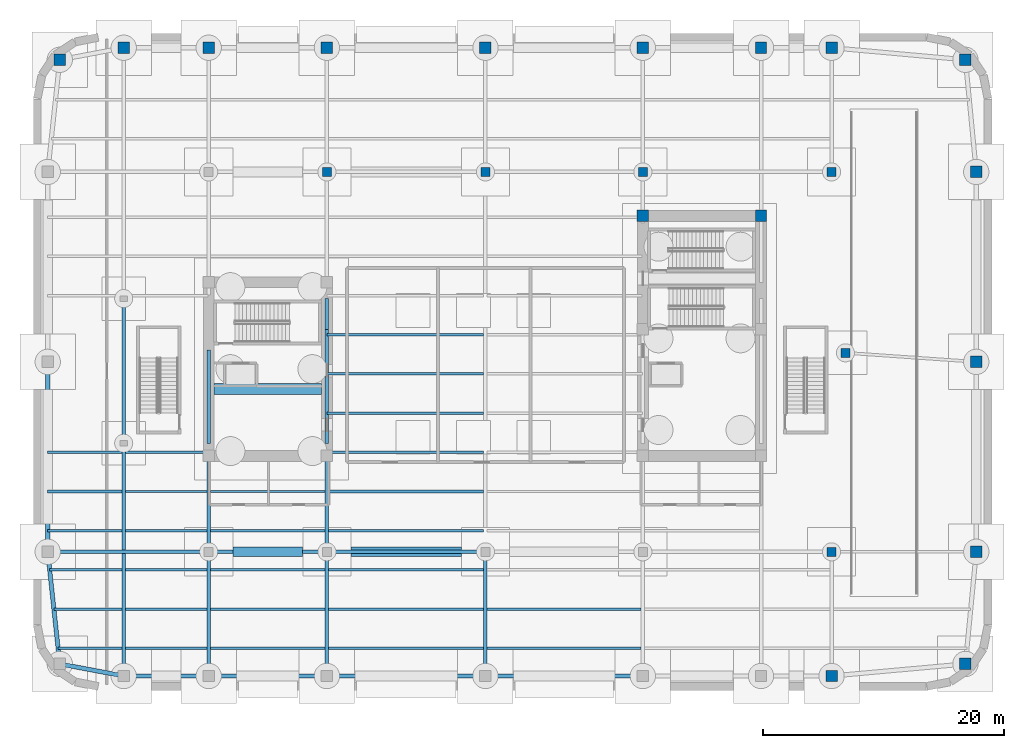
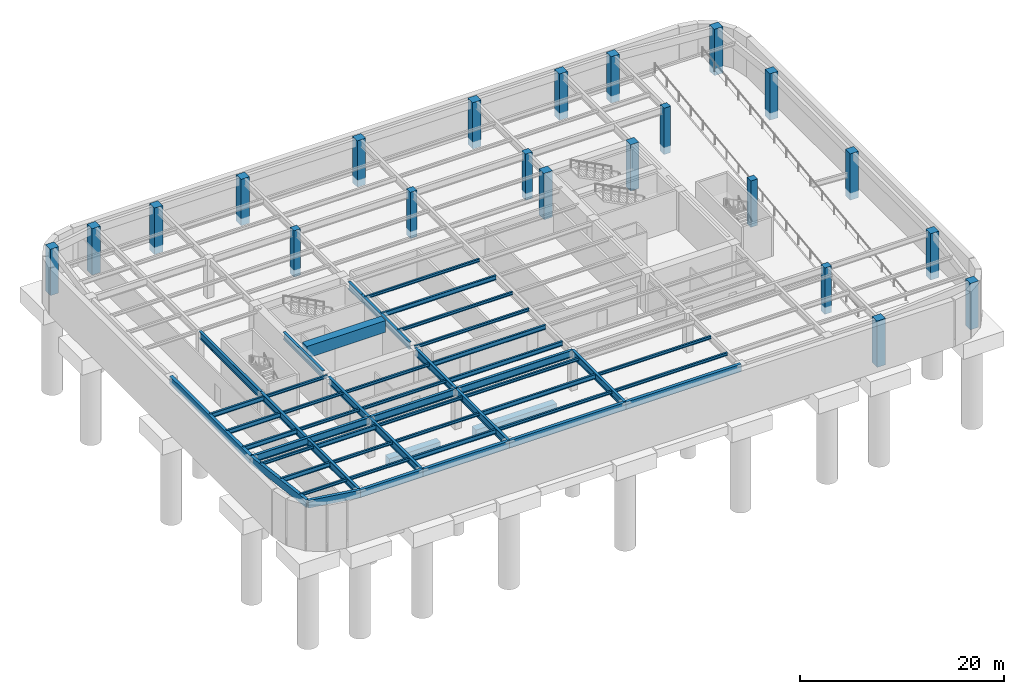
# One storey, part 2 of 14: 52 beams, 22 columns.
"""IFC4 building model written with IfcOpenShell, lengths in metres."""

from ifc_helpers import new_model, si_unit, direction, frame, origin, origin_2d, place, context, subcontext, project, spatial, rectangle, hollow_rectangle, i_section, extrude, material, material_profile, profile_set, type_object, element, save


model = new_model("IFC4")

# Units and contexts
model_context = context("Model", 3, precision=1e-05, world=origin(), true_north=direction((0.0, 1.0)))
body_context = subcontext(model_context, "Body", "Model", "MODEL_VIEW")
ifc_project = project(units=[si_unit("LENGTHUNIT", "METRE"), si_unit("AREAUNIT", "SQUARE_METRE"), si_unit("VOLUMEUNIT", "CUBIC_METRE"), si_unit("PLANEANGLEUNIT", "RADIAN"), si_unit("MASSUNIT", "GRAM", prefix="KILO")], contexts=[model_context])

# Site, building, storey
site_placement = place(None, origin())
site = spatial("IfcSite", under=ifc_project, at=site_placement, CompositionType="ELEMENT")
building_placement = place(site_placement, origin())
building = spatial("IfcBuilding", under=site, at=building_placement, Name="Kolvaren Arena Tower", CompositionType="ELEMENT")
storey_placement = place(building_placement, frame((0.0, 0.0, -10.0)))
storey = spatial("IfcBuildingStorey", under=building, at=storey_placement, Name="B02", CompositionType="ELEMENT", Elevation=-10.0)

# Columns
ifc_material_1 = material(Name="Concrete 60 MPa", Category="concrete")
ifc_material_profile_1 = material_profile(ifc_material_1, rectangle(XDim=0.949951171875, YDim=0.949951171875, at=origin_2d()), Name="RC-950x950")
ifc_profile_set_1 = profile_set([ifc_material_profile_1], Name="Concrete 60 MPa")
column_type_1 = type_object("IfcColumnType", Name="PCOL-B1", PredefinedType="COLUMN", material=ifc_profile_set_1)
for number, where, z_axis, x_axis, name in (
    (1, (50.550048828125, 39.35009765625, -0.85009765625), (0.0, 0.0, 1.0), (1.0, 0.0, 0.0), "Core Boundary Column EC-NW (B02)"),
    (2, (60.35009765625, 39.35009765625, -0.85009765625), (0.0, 0.0, 1.0), (1.0, 0.0, 0.0), "Core Boundary Column EC-NE (B02)"),
    (3, (66.199951171875, 1.199951171875, -0.85009765625), (0.0, 0.0, 1.0), (1.0, 0.0, 0.0), "Podium Perimeter Column PS-07 (B02)"),
    (4, (77.300048828125, 2.199951171875, -0.85009765625), (0.0, 0.0, 1.0), (1.0, 0.0, 0.0), "Podium Perimeter Column PE-C0 (B02)"),
    (5, (78.199951171875, 11.5, -0.85009765625), (0.0, 0.0, 1.0), (1.0, 0.0, 0.0), "Podium Perimeter Column PE-01 (B02)"),
    (6, (78.199951171875, 27.25, -0.85009765625), (0.0, 0.0, 1.0), (1.0, 0.0, 0.0), "Podium Perimeter Column PE-02 (B02)"),
    (7, (78.199951171875, 43.0, -0.85009765625), (0.0, 0.0, 1.0), (1.0, 0.0, 0.0), "Podium Perimeter Column PE-03 (B02)"),
    (8, (77.300048828125, 52.300048828125, -0.85009765625), (0.0, 0.0, 1.0), (1.0, 0.0, 0.0), "Podium Perimeter Column PN-C1 (B02)"),
    (9, (66.199951171875, 53.300048828125, -0.85009765625), (0.0, 0.0, 1.0), (1.0, 0.0, 0.0), "Podium Perimeter Column PN-07 (B02)"),
    (10, (60.35009765625, 53.300048828125, -0.85009765625), (0.0, 0.0, 1.0), (1.0, 0.0, 0.0), "Podium Perimeter Column PN-06 (B02)"),
    (11, (50.550048828125, 53.300048828125, -0.85009765625), (0.0, 0.0, 1.0), (1.0, 0.0, 0.0), "Podium Perimeter Column PN-05 (B02)"),
    (12, (37.5, 53.300048828125, -0.85009765625), (0.0, 0.0, 1.0), (1.0, 0.0, 0.0), "Podium Perimeter Column PN-04 (B02)"),
    (13, (24.35009765625, 53.300048828125, -0.85009765625), (0.0, 0.0, 1.0), (1.0, 0.0, 0.0), "Podium Perimeter Column PN-03 (B02)"),
    (14, (14.550048828125, 53.300048828125, -0.85009765625), (0.0, 0.0, 1.0), (1.0, 0.0, 0.0), "Podium Perimeter Column PN-02 (B02)"),
    (15, (7.5, 53.300048828125, -0.85009765625), (0.0, 0.0, 1.0), (1.0, 0.0, 0.0), "Podium Perimeter Column PN-01 (B02)"),
    (16, (2.199951171875, 52.300048828125, -0.85009765625), (0.0, 0.0, 1.0), (1.0, 0.0, 0.0), "Podium Perimeter Column PN-C0 (B02)"),
):
    element("IfcColumn", number, at=place(storey_placement, frame(where, z_axis=z_axis, x_axis=x_axis)), inside=storey, type_object=column_type_1, Name=name, PredefinedType="COLUMN", context=body_context, shape_type="SweptSolid", body=[
        extrude(rectangle(XDim=0.949951171875, YDim=0.949951171875, at=origin_2d()), origin(), (0.0, 0.0, 1.0), 5.5400390625),
    ])
ifc_material_profile_2 = material_profile(ifc_material_1, rectangle(XDim=0.75, YDim=0.75, at=origin_2d()), Name="RC-750x750")
ifc_profile_set_2 = profile_set([ifc_material_profile_2], Name="Concrete 60 MPa")
column_type_2 = type_object("IfcColumnType", Name="PCOL-B2", PredefinedType="COLUMN", material=ifc_profile_set_2)
for number, where, z_axis, x_axis, name in (
    (17, (66.199951171875, 11.5, -0.85009765625), (0.0, 0.0, 1.0), (1.0, 0.0, 0.0), "Concourse Structural Column PB-S5 (B02)"),
    (18, (24.35009765625, 43.0, -0.85009765625), (0.0, 0.0, 1.0), (1.0, 0.0, 0.0), "Concourse Structural Column PB-N2 (B02)"),
    (19, (37.5, 43.0, -0.85009765625), (0.0, 0.0, 1.0), (1.0, 0.0, 0.0), "Concourse Structural Column PB-N3 (B02)"),
    (20, (50.550048828125, 43.0, -0.85009765625), (0.0, 0.0, 1.0), (1.0, 0.0, 0.0), "Concourse Structural Column PB-N4 (B02)"),
    (21, (66.199951171875, 43.0, -0.85009765625), (0.0, 0.0, 1.0), (1.0, 0.0, 0.0), "Concourse Structural Column PB-N5 (B02)"),
    (22, (67.35009765625, 28.0, -0.85009765625), (0.0, 0.0, 1.0), (1.0, 0.0, 0.0), "Vehicle Ramp Mid-Span Column (B02)"),
):
    element("IfcColumn", number, at=place(storey_placement, frame(where, z_axis=z_axis, x_axis=x_axis)), inside=storey, type_object=column_type_2, Name=name, PredefinedType="COLUMN", context=body_context, shape_type="SweptSolid", body=[
        extrude(rectangle(XDim=0.75, YDim=0.75, at=origin_2d()), origin(), (0.0, 0.0, 1.0), 5.5400390625),
    ])

# Beams
ifc_material_2 = material(Name="Steel CSA G40.21 350W", Category="steel")
ifc_material_profile_3 = material_profile(ifc_material_2, i_section(OverallWidth=0.2119140625, OverallDepth=0.54296875, WebThickness=0.01318359375, FlangeThickness=0.0244140625, FilletRadius=0.013916015625, at=origin_2d()), Name="W530x150")
ifc_profile_set_3 = profile_set([ifc_material_profile_3], Name="Steel CSA G40.21 350W")
beam_type_1 = type_object("IfcBeamType", Name="BEAM-F1", PredefinedType="BEAM", material=ifc_profile_set_3)
beam_1_placement = place(storey_placement, frame((14.696044921875, 3.5, 4.41845703125), z_axis=(1.0, 0.0, 0.0), x_axis=(0.0, 1.0, 0.0)))
element("IfcBeam", 23, at=beam_1_placement, inside=storey, type_object=beam_type_1, Name="Composite Floor Beam (B02)", PredefinedType="BEAM", context=body_context, shape_type="SweptSolid", body=[
    extrude(i_section(OverallWidth=0.2119140625, OverallDepth=0.54296875, WebThickness=0.01318359375, FlangeThickness=0.0244140625, FilletRadius=0.013916015625, at=origin_2d()), origin(), (0.0, 0.0, 1.0), 9.508056640625),
])
beam_2_placement = place(storey_placement, frame((1.710693359375, 6.75, 4.41845703125), z_axis=(1.0, 0.0, 0.0), x_axis=(0.0, 1.0, 0.0)))
element("IfcBeam", 24, at=beam_2_placement, inside=storey, type_object=beam_type_1, Name="Composite Floor Beam (B02)", PredefinedType="BEAM", context=body_context, shape_type="SweptSolid", body=[
    extrude(i_section(OverallWidth=0.2119140625, OverallDepth=0.54296875, WebThickness=0.01318359375, FlangeThickness=0.0244140625, FilletRadius=0.013916015625, at=origin_2d()), origin(), (0.0, 0.0, 1.0), 5.643310546875),
])
beam_3_placement = place(storey_placement, frame((24.49609375, 6.75, 4.41845703125), z_axis=(1.0, 0.0, 0.0), x_axis=(0.0, 1.0, 0.0)))
element("IfcBeam", 25, at=beam_3_placement, inside=storey, type_object=beam_type_1, Name="Composite Floor Beam (B02)", PredefinedType="BEAM", context=body_context, shape_type="SweptSolid", body=[
    extrude(i_section(OverallWidth=0.2119140625, OverallDepth=0.54296875, WebThickness=0.01318359375, FlangeThickness=0.0244140625, FilletRadius=0.013916015625, at=origin_2d()), origin(), (0.0, 0.0, 1.0), 12.85791015625),
])
beam_4_placement = place(storey_placement, frame((7.64599609375, 10.0, 4.41845703125), z_axis=(1.0, 0.0, 0.0), x_axis=(0.0, 1.0, 0.0)))
element("IfcBeam", 26, at=beam_4_placement, inside=storey, type_object=beam_type_1, Name="Composite Floor Beam (B02)", PredefinedType="BEAM", context=body_context, shape_type="SweptSolid", body=[
    extrude(i_section(OverallWidth=0.2119140625, OverallDepth=0.54296875, WebThickness=0.01318359375, FlangeThickness=0.0244140625, FilletRadius=0.013916015625, at=origin_2d()), origin(), (0.0, 0.0, 1.0), 6.758056640625),
])
beam_5_placement = place(storey_placement, frame((1.199951171875, 13.25, 4.41845703125), z_axis=(1.0, 0.0, 0.0), x_axis=(0.0, 1.0, 0.0)))
element("IfcBeam", 27, at=beam_5_placement, inside=storey, type_object=beam_type_1, Name="Composite Floor Beam (B02)", PredefinedType="BEAM", context=body_context, shape_type="SweptSolid", body=[
    extrude(i_section(OverallWidth=0.2119140625, OverallDepth=0.54296875, WebThickness=0.01318359375, FlangeThickness=0.0244140625, FilletRadius=0.013916015625, at=origin_2d()), origin(), (0.0, 0.0, 1.0), 6.154052734375),
])
beam_6_placement = place(storey_placement, frame((24.49609375, 13.25, 4.41845703125), z_axis=(1.0, 0.0, 0.0), x_axis=(0.0, 1.0, 0.0)))
element("IfcBeam", 28, at=beam_6_placement, inside=storey, type_object=beam_type_1, Name="Composite Floor Beam (B02)", PredefinedType="BEAM", context=body_context, shape_type="SweptSolid", body=[
    extrude(i_section(OverallWidth=0.2119140625, OverallDepth=0.54296875, WebThickness=0.01318359375, FlangeThickness=0.0244140625, FilletRadius=0.013916015625, at=origin_2d()), origin(), (0.0, 0.0, 1.0), 12.85791015625),
])
beam_7_placement = place(storey_placement, frame((1.199951171875, 16.5, 4.41845703125), z_axis=(1.0, 0.0, 0.0), x_axis=(0.0, 1.0, 0.0)))
element("IfcBeam", 29, at=beam_7_placement, inside=storey, type_object=beam_type_1, Name="Composite Floor Beam (B02)", PredefinedType="BEAM", context=body_context, shape_type="SweptSolid", body=[
    extrude(i_section(OverallWidth=0.2119140625, OverallDepth=0.54296875, WebThickness=0.01318359375, FlangeThickness=0.0244140625, FilletRadius=0.013916015625, at=origin_2d()), origin(), (0.0, 0.0, 1.0), 6.154052734375),
])
beam_8_placement = place(storey_placement, frame((24.49609375, 16.5, 4.41845703125), z_axis=(1.0, 0.0, 0.0), x_axis=(0.0, 1.0, 0.0)))
element("IfcBeam", 30, at=beam_8_placement, inside=storey, type_object=beam_type_1, Name="Composite Floor Beam (B02)", PredefinedType="BEAM", context=body_context, shape_type="SweptSolid", body=[
    extrude(i_section(OverallWidth=0.2119140625, OverallDepth=0.54296875, WebThickness=0.01318359375, FlangeThickness=0.0244140625, FilletRadius=0.013916015625, at=origin_2d()), origin(), (0.0, 0.0, 1.0), 12.85791015625),
])
beam_9_placement = place(storey_placement, frame((1.199951171875, 19.75, 4.41845703125), z_axis=(1.0, 0.0, 0.0), x_axis=(0.0, 1.0, 0.0)))
element("IfcBeam", 31, at=beam_9_placement, inside=storey, type_object=beam_type_1, Name="Composite Floor Beam (B02)", PredefinedType="BEAM", context=body_context, shape_type="SweptSolid", body=[
    extrude(i_section(OverallWidth=0.2119140625, OverallDepth=0.54296875, WebThickness=0.01318359375, FlangeThickness=0.0244140625, FilletRadius=0.013916015625, at=origin_2d()), origin(), (0.0, 0.0, 1.0), 6.154052734375),
])
beam_10_placement = place(storey_placement, frame((24.3701171875, 26.25, 4.41845703125), z_axis=(1.0, 0.0, 0.0), x_axis=(0.0, 1.0, 0.0)))
element("IfcBeam", 32, at=beam_10_placement, inside=storey, type_object=beam_type_1, Name="Composite Floor Beam (B02)", PredefinedType="BEAM", context=body_context, shape_type="SweptSolid", body=[
    extrude(i_section(OverallWidth=0.2119140625, OverallDepth=0.54296875, WebThickness=0.01318359375, FlangeThickness=0.0244140625, FilletRadius=0.013916015625, at=origin_2d()), origin(), (0.0, 0.0, 1.0), 12.98388671875),
])
ifc_material_3 = material(Name="Concrete 75 MPa", Category="concrete")
ifc_material_profile_4 = material_profile(ifc_material_3, rectangle(XDim=0.89990234375, YDim=1.39990234375, at=origin_2d()), Name="RC-900x1400")
ifc_profile_set_4 = profile_set([ifc_material_profile_4], Name="Concrete 75 MPa")
beam_type_2 = type_object("IfcBeamType", Name="CB-CORE-1", PredefinedType="BEAM", material=ifc_profile_set_4)
beam_11_placement = place(storey_placement, frame((15.0, 25.0, 4.260009765625), z_axis=(1.0, 0.0, 0.0), x_axis=(0.0, 1.0, 0.0)))
element("IfcBeam", 33, at=beam_11_placement, inside=storey, type_object=beam_type_2, Name="West Core Coupling Beam (B02)", PredefinedType="BEAM", context=body_context, shape_type="SweptSolid", body=[
    extrude(rectangle(XDim=0.89990234375, YDim=1.39990234375, at=origin_2d()), origin(), (0.0, 0.0, 1.0), 8.89990234375),
])
ifc_material_4 = material(Name="Concrete 50 MPa", Category="concrete")
ifc_material_profile_5 = material_profile(ifc_material_4, rectangle(XDim=0.800048828125, YDim=1.10009765625, at=origin_2d()), Name="RC-800x1100")
ifc_profile_set_5 = profile_set([ifc_material_profile_5], Name="Concrete 50 MPa")
beam_type_3 = type_object("IfcBeamType", Name="GB-FND-1", PredefinedType="BEAM", material=ifc_profile_set_5)
beam_12_placement = place(storey_placement, frame((16.554931640625, 11.5, -1.39990234375), z_axis=(1.0, 0.0, 0.0), x_axis=(0.0, 1.0, 0.0)))
element("IfcBeam", 34, at=beam_12_placement, inside=storey, type_object=beam_type_3, Name="Foundation Grade Beam GB1-01", PredefinedType="BEAM", context=body_context, shape_type="SweptSolid", body=[
    extrude(rectangle(XDim=0.800048828125, YDim=1.10009765625, at=origin_2d()), origin(), (0.0, 0.0, 1.0), 5.7900390625),
])
beam_13_placement = place(storey_placement, frame((26.35498046875, 11.5, -1.39990234375), z_axis=(1.0, 0.0, 0.0), x_axis=(0.0, 1.0, 0.0)))
element("IfcBeam", 35, at=beam_13_placement, inside=storey, type_object=beam_type_3, Name="Foundation Grade Beam GB1-02", PredefinedType="BEAM", context=body_context, shape_type="SweptSolid", body=[
    extrude(rectangle(XDim=0.800048828125, YDim=1.10009765625, at=origin_2d()), origin(), (0.0, 0.0, 1.0), 9.14013671875),
])
ifc_material_profile_6 = material_profile(ifc_material_2, i_section(OverallWidth=0.2919921875, OverallDepth=0.85498046875, WebThickness=0.02099609375, FlangeThickness=0.03564453125, FilletRadius=0.01806640625, at=origin_2d()), Name="W840x299")
ifc_profile_set_6 = profile_set([ifc_material_profile_6], Name="Steel CSA G40.21 350W")
beam_type_4 = type_object("IfcBeamType", Name="GIRD-P1", PredefinedType="BEAM", material=ifc_profile_set_6)
beam_14_placement = place(storey_placement, frame((1.199951171875, 11.5, 4.262451171875), z_axis=(1.0, 0.0, 0.0), x_axis=(0.0, 1.0, 0.0)))
element("IfcBeam", 36, at=beam_14_placement, inside=storey, type_object=beam_type_4, Name="Primary Floor Girder (B02)", PredefinedType="BEAM", context=body_context, shape_type="SweptSolid", body=[
    extrude(i_section(OverallWidth=0.2919921875, OverallDepth=0.85498046875, WebThickness=0.02099609375, FlangeThickness=0.03564453125, FilletRadius=0.01806640625, at=origin_2d()), origin(), (0.0, 0.0, 1.0), 13.35009765625),
])
beam_15_placement = place(storey_placement, frame((14.550048828125, 11.5, 4.262451171875), z_axis=(1.0, 0.0, 0.0), x_axis=(0.0, 1.0, 0.0)))
element("IfcBeam", 37, at=beam_15_placement, inside=storey, type_object=beam_type_4, Name="Primary Floor Girder (B02)", PredefinedType="BEAM", context=body_context, shape_type="SweptSolid", body=[
    extrude(i_section(OverallWidth=0.2919921875, OverallDepth=0.85498046875, WebThickness=0.02099609375, FlangeThickness=0.03564453125, FilletRadius=0.01806640625, at=origin_2d()), origin(), (0.0, 0.0, 1.0), 9.800048828125),
])
beam_16_placement = place(storey_placement, frame((24.35009765625, 11.5, 4.262451171875), z_axis=(1.0, 0.0, 0.0), x_axis=(0.0, 1.0, 0.0)))
element("IfcBeam", 38, at=beam_16_placement, inside=storey, type_object=beam_type_4, Name="Primary Floor Girder (B02)", PredefinedType="BEAM", context=body_context, shape_type="SweptSolid", body=[
    extrude(i_section(OverallWidth=0.2919921875, OverallDepth=0.85498046875, WebThickness=0.02099609375, FlangeThickness=0.03564453125, FilletRadius=0.01806640625, at=origin_2d()), origin(), (0.0, 0.0, 1.0), 13.14990234375),
])
beam_17_placement = place(storey_placement, frame((7.5, 1.199951171875, 4.262451171875), z_axis=(0.0, 1.0, 0.0), x_axis=(-1.0, 0.0, 0.0)))
element("IfcBeam", 39, at=beam_17_placement, inside=storey, type_object=beam_type_4, Name="Primary Floor Girder (B02)", PredefinedType="BEAM", context=body_context, shape_type="SweptSolid", body=[
    extrude(i_section(OverallWidth=0.2919921875, OverallDepth=0.85498046875, WebThickness=0.02099609375, FlangeThickness=0.03564453125, FilletRadius=0.01806640625, at=origin_2d()), origin(), (0.0, 0.0, 1.0), 10.154052734375),
])
beam_18_placement = place(storey_placement, frame((7.5, 11.64599609375, 4.262451171875), z_axis=(0.0, 1.0, 0.0), x_axis=(-1.0, 0.0, 0.0)))
element("IfcBeam", 40, at=beam_18_placement, inside=storey, type_object=beam_type_4, Name="Primary Floor Girder (B02)", PredefinedType="BEAM", context=body_context, shape_type="SweptSolid", body=[
    extrude(i_section(OverallWidth=0.2919921875, OverallDepth=0.85498046875, WebThickness=0.02099609375, FlangeThickness=0.03564453125, FilletRadius=0.01806640625, at=origin_2d()), origin(), (0.0, 0.0, 1.0), 8.85400390625),
])
beam_19_placement = place(storey_placement, frame((7.5, 20.5, 4.262451171875), z_axis=(0.0, 1.0, 0.0), x_axis=(-1.0, 0.0, 0.0)))
element("IfcBeam", 41, at=beam_19_placement, inside=storey, type_object=beam_type_4, Name="Primary Floor Girder (B02)", PredefinedType="BEAM", context=body_context, shape_type="SweptSolid", body=[
    extrude(i_section(OverallWidth=0.2919921875, OverallDepth=0.85498046875, WebThickness=0.02099609375, FlangeThickness=0.03564453125, FilletRadius=0.01806640625, at=origin_2d()), origin(), (0.0, 0.0, 1.0), 12.0),
])
beam_20_placement = place(storey_placement, frame((14.550048828125, 1.199951171875, 4.262451171875), z_axis=(0.0, 1.0, 0.0), x_axis=(-1.0, 0.0, 0.0)))
element("IfcBeam", 42, at=beam_20_placement, inside=storey, type_object=beam_type_4, Name="Primary Floor Girder (B02)", PredefinedType="BEAM", context=body_context, shape_type="SweptSolid", body=[
    extrude(i_section(OverallWidth=0.2919921875, OverallDepth=0.85498046875, WebThickness=0.02099609375, FlangeThickness=0.03564453125, FilletRadius=0.01806640625, at=origin_2d()), origin(), (0.0, 0.0, 1.0), 10.300048828125),
])
beam_21_placement = place(storey_placement, frame((14.550048828125, 11.5, 4.262451171875), z_axis=(0.0, 1.0, 0.0), x_axis=(-1.0, 0.0, 0.0)))
element("IfcBeam", 43, at=beam_21_placement, inside=storey, type_object=beam_type_4, Name="Primary Floor Girder (B02)", PredefinedType="BEAM", context=body_context, shape_type="SweptSolid", body=[
    extrude(i_section(OverallWidth=0.2919921875, OverallDepth=0.85498046875, WebThickness=0.02099609375, FlangeThickness=0.03564453125, FilletRadius=0.01806640625, at=origin_2d()), origin(), (0.0, 0.0, 1.0), 7.949951171875),
])
beam_22_placement = place(storey_placement, frame((14.550048828125, 20.5, 4.262451171875), z_axis=(0.0, 1.0, 0.0), x_axis=(-1.0, 0.0, 0.0)))
element("IfcBeam", 44, at=beam_22_placement, inside=storey, type_object=beam_type_4, Name="Primary Floor Girder (B02)", PredefinedType="BEAM", context=body_context, shape_type="SweptSolid", body=[
    extrude(i_section(OverallWidth=0.2919921875, OverallDepth=0.85498046875, WebThickness=0.02099609375, FlangeThickness=0.03564453125, FilletRadius=0.01806640625, at=origin_2d()), origin(), (0.0, 0.0, 1.0), 7.739990234375),
])
beam_23_placement = place(storey_placement, frame((24.35009765625, 1.199951171875, 4.262451171875), z_axis=(0.0, 1.0, 0.0), x_axis=(-1.0, 0.0, 0.0)))
element("IfcBeam", 45, at=beam_23_placement, inside=storey, type_object=beam_type_4, Name="Primary Floor Girder (B02)", PredefinedType="BEAM", context=body_context, shape_type="SweptSolid", body=[
    extrude(i_section(OverallWidth=0.2919921875, OverallDepth=0.85498046875, WebThickness=0.02099609375, FlangeThickness=0.03564453125, FilletRadius=0.01806640625, at=origin_2d()), origin(), (0.0, 0.0, 1.0), 10.300048828125),
])
beam_24_placement = place(storey_placement, frame((24.35009765625, 11.5, 4.262451171875), z_axis=(0.0, 1.0, 0.0), x_axis=(-1.0, 0.0, 0.0)))
element("IfcBeam", 46, at=beam_24_placement, inside=storey, type_object=beam_type_4, Name="Primary Floor Girder (B02)", PredefinedType="BEAM", context=body_context, shape_type="SweptSolid", body=[
    extrude(i_section(OverallWidth=0.2919921875, OverallDepth=0.85498046875, WebThickness=0.02099609375, FlangeThickness=0.03564453125, FilletRadius=0.01806640625, at=origin_2d()), origin(), (0.0, 0.0, 1.0), 7.949951171875),
])
beam_25_placement = place(storey_placement, frame((24.35009765625, 20.5, 4.262451171875), z_axis=(0.0, 1.0, 0.0), x_axis=(-1.0, 0.0, 0.0)))
element("IfcBeam", 47, at=beam_25_placement, inside=storey, type_object=beam_type_4, Name="Primary Floor Girder (B02)", PredefinedType="BEAM", context=body_context, shape_type="SweptSolid", body=[
    extrude(i_section(OverallWidth=0.2919921875, OverallDepth=0.85498046875, WebThickness=0.02099609375, FlangeThickness=0.03564453125, FilletRadius=0.01806640625, at=origin_2d()), origin(), (0.0, 0.0, 1.0), 9.449951171875),
])
beam_26_placement = place(storey_placement, frame((24.35009765625, 29.949951171875, 4.262451171875), z_axis=(0.0, 1.0, 0.0), x_axis=(-1.0, 0.0, 0.0)))
element("IfcBeam", 48, at=beam_26_placement, inside=storey, type_object=beam_type_4, Name="Primary Floor Girder (B02)", PredefinedType="BEAM", context=body_context, shape_type="SweptSolid", body=[
    extrude(i_section(OverallWidth=0.2919921875, OverallDepth=0.85498046875, WebThickness=0.02099609375, FlangeThickness=0.03564453125, FilletRadius=0.01806640625, at=origin_2d()), origin(), (0.0, 0.0, 1.0), 2.550048828125),
])
beam_27_placement = place(storey_placement, frame((37.5, 1.199951171875, 4.262451171875), z_axis=(0.0, 1.0, 0.0), x_axis=(-1.0, 0.0, 0.0)))
element("IfcBeam", 49, at=beam_27_placement, inside=storey, type_object=beam_type_4, Name="Primary Floor Girder (B02)", PredefinedType="BEAM", context=body_context, shape_type="SweptSolid", body=[
    extrude(i_section(OverallWidth=0.2919921875, OverallDepth=0.85498046875, WebThickness=0.02099609375, FlangeThickness=0.03564453125, FilletRadius=0.01806640625, at=origin_2d()), origin(), (0.0, 0.0, 1.0), 10.300048828125),
])
ifc_material_profile_7 = material_profile(ifc_material_2, i_section(OverallWidth=0.202880859375, OverallDepth=0.346923828125, WebThickness=0.0078125, FlangeThickness=0.013427734375, FilletRadius=0.010986328125, at=origin_2d()), Name="W360x64")
ifc_profile_set_7 = profile_set([ifc_material_profile_7], Name="Steel CSA G40.21 350W")
beam_type_5 = type_object("IfcBeamType", Name="JOIST-01", PredefinedType="JOIST", material=ifc_profile_set_7)
beam_28_placement = place(storey_placement, frame((2.060302734375, 3.5, 4.5166015625), z_axis=(1.0, 0.0, 0.0), x_axis=(0.0, 1.0, 0.0)))
element("IfcBeam", 50, at=beam_28_placement, inside=storey, type_object=beam_type_5, Name="Composite Floor Joist (B02)", PredefinedType="JOIST", context=body_context, shape_type="SweptSolid", body=[
    extrude(i_section(OverallWidth=0.202880859375, OverallDepth=0.346923828125, WebThickness=0.0078125, FlangeThickness=0.013427734375, FilletRadius=0.010986328125, at=origin_2d()), origin(), (0.0, 0.0, 1.0), 5.293701171875),
])
beam_29_placement = place(storey_placement, frame((7.64599609375, 3.5, 4.5166015625), z_axis=(1.0, 0.0, 0.0), x_axis=(0.0, 1.0, 0.0)))
element("IfcBeam", 51, at=beam_29_placement, inside=storey, type_object=beam_type_5, Name="Composite Floor Joist (B02)", PredefinedType="JOIST", context=body_context, shape_type="SweptSolid", body=[
    extrude(i_section(OverallWidth=0.202880859375, OverallDepth=0.346923828125, WebThickness=0.0078125, FlangeThickness=0.013427734375, FilletRadius=0.010986328125, at=origin_2d()), origin(), (0.0, 0.0, 1.0), 6.758056640625),
])
beam_30_placement = place(storey_placement, frame((24.49609375, 3.5, 4.5166015625), z_axis=(1.0, 0.0, 0.0), x_axis=(0.0, 1.0, 0.0)))
element("IfcBeam", 52, at=beam_30_placement, inside=storey, type_object=beam_type_5, Name="Composite Floor Joist (B02)", PredefinedType="JOIST", context=body_context, shape_type="SweptSolid", body=[
    extrude(i_section(OverallWidth=0.202880859375, OverallDepth=0.346923828125, WebThickness=0.0078125, FlangeThickness=0.013427734375, FilletRadius=0.010986328125, at=origin_2d()), origin(), (0.0, 0.0, 1.0), 12.85791015625),
])
beam_31_placement = place(storey_placement, frame((37.64599609375, 3.5, 4.5166015625), z_axis=(1.0, 0.0, 0.0), x_axis=(0.0, 1.0, 0.0)))
element("IfcBeam", 53, at=beam_31_placement, inside=storey, type_object=beam_type_5, Name="Composite Floor Joist (B02)", PredefinedType="JOIST", context=body_context, shape_type="SweptSolid", body=[
    extrude(i_section(OverallWidth=0.202880859375, OverallDepth=0.346923828125, WebThickness=0.0078125, FlangeThickness=0.013427734375, FilletRadius=0.010986328125, at=origin_2d()), origin(), (0.0, 0.0, 1.0), 12.758056640625),
])
beam_32_placement = place(storey_placement, frame((7.64599609375, 6.75, 4.5166015625), z_axis=(1.0, 0.0, 0.0), x_axis=(0.0, 1.0, 0.0)))
element("IfcBeam", 54, at=beam_32_placement, inside=storey, type_object=beam_type_5, Name="Composite Floor Joist (B02)", PredefinedType="JOIST", context=body_context, shape_type="SweptSolid", body=[
    extrude(i_section(OverallWidth=0.202880859375, OverallDepth=0.346923828125, WebThickness=0.0078125, FlangeThickness=0.013427734375, FilletRadius=0.010986328125, at=origin_2d()), origin(), (0.0, 0.0, 1.0), 6.758056640625),
])
beam_33_placement = place(storey_placement, frame((14.696044921875, 6.75, 4.5166015625), z_axis=(1.0, 0.0, 0.0), x_axis=(0.0, 1.0, 0.0)))
element("IfcBeam", 55, at=beam_33_placement, inside=storey, type_object=beam_type_5, Name="Composite Floor Joist (B02)", PredefinedType="JOIST", context=body_context, shape_type="SweptSolid", body=[
    extrude(i_section(OverallWidth=0.202880859375, OverallDepth=0.346923828125, WebThickness=0.0078125, FlangeThickness=0.013427734375, FilletRadius=0.010986328125, at=origin_2d()), origin(), (0.0, 0.0, 1.0), 9.508056640625),
])
beam_34_placement = place(storey_placement, frame((37.64599609375, 6.75, 4.5166015625), z_axis=(1.0, 0.0, 0.0), x_axis=(0.0, 1.0, 0.0)))
element("IfcBeam", 56, at=beam_34_placement, inside=storey, type_object=beam_type_5, Name="Composite Floor Joist (B02)", PredefinedType="JOIST", context=body_context, shape_type="SweptSolid", body=[
    extrude(i_section(OverallWidth=0.202880859375, OverallDepth=0.346923828125, WebThickness=0.0078125, FlangeThickness=0.013427734375, FilletRadius=0.010986328125, at=origin_2d()), origin(), (0.0, 0.0, 1.0), 12.758056640625),
])
beam_35_placement = place(storey_placement, frame((1.361328125, 10.0, 4.5166015625), z_axis=(1.0, 0.0, 0.0), x_axis=(0.0, 1.0, 0.0)))
element("IfcBeam", 57, at=beam_35_placement, inside=storey, type_object=beam_type_5, Name="Composite Floor Joist (B02)", PredefinedType="JOIST", context=body_context, shape_type="SweptSolid", body=[
    extrude(i_section(OverallWidth=0.202880859375, OverallDepth=0.346923828125, WebThickness=0.0078125, FlangeThickness=0.013427734375, FilletRadius=0.010986328125, at=origin_2d()), origin(), (0.0, 0.0, 1.0), 5.99267578125),
])
beam_36_placement = place(storey_placement, frame((14.696044921875, 10.0, 4.5166015625), z_axis=(1.0, 0.0, 0.0), x_axis=(0.0, 1.0, 0.0)))
element("IfcBeam", 58, at=beam_36_placement, inside=storey, type_object=beam_type_5, Name="Composite Floor Joist (B02)", PredefinedType="JOIST", context=body_context, shape_type="SweptSolid", body=[
    extrude(i_section(OverallWidth=0.202880859375, OverallDepth=0.346923828125, WebThickness=0.0078125, FlangeThickness=0.013427734375, FilletRadius=0.010986328125, at=origin_2d()), origin(), (0.0, 0.0, 1.0), 9.508056640625),
])
beam_37_placement = place(storey_placement, frame((24.49609375, 10.0, 4.5166015625), z_axis=(1.0, 0.0, 0.0), x_axis=(0.0, 1.0, 0.0)))
element("IfcBeam", 59, at=beam_37_placement, inside=storey, type_object=beam_type_5, Name="Composite Floor Joist (B02)", PredefinedType="JOIST", context=body_context, shape_type="SweptSolid", body=[
    extrude(i_section(OverallWidth=0.202880859375, OverallDepth=0.346923828125, WebThickness=0.0078125, FlangeThickness=0.013427734375, FilletRadius=0.010986328125, at=origin_2d()), origin(), (0.0, 0.0, 1.0), 12.85791015625),
])
beam_38_placement = place(storey_placement, frame((7.64599609375, 13.25, 4.5166015625), z_axis=(1.0, 0.0, 0.0), x_axis=(0.0, 1.0, 0.0)))
element("IfcBeam", 60, at=beam_38_placement, inside=storey, type_object=beam_type_5, Name="Composite Floor Joist (B02)", PredefinedType="JOIST", context=body_context, shape_type="SweptSolid", body=[
    extrude(i_section(OverallWidth=0.202880859375, OverallDepth=0.346923828125, WebThickness=0.0078125, FlangeThickness=0.013427734375, FilletRadius=0.010986328125, at=origin_2d()), origin(), (0.0, 0.0, 1.0), 6.758056640625),
])
beam_39_placement = place(storey_placement, frame((14.696044921875, 13.25, 4.5166015625), z_axis=(1.0, 0.0, 0.0), x_axis=(0.0, 1.0, 0.0)))
element("IfcBeam", 61, at=beam_39_placement, inside=storey, type_object=beam_type_5, Name="Composite Floor Joist (B02)", PredefinedType="JOIST", context=body_context, shape_type="SweptSolid", body=[
    extrude(i_section(OverallWidth=0.202880859375, OverallDepth=0.346923828125, WebThickness=0.0078125, FlangeThickness=0.013427734375, FilletRadius=0.010986328125, at=origin_2d()), origin(), (0.0, 0.0, 1.0), 9.508056640625),
])
beam_40_placement = place(storey_placement, frame((7.64599609375, 16.5, 4.5166015625), z_axis=(1.0, 0.0, 0.0), x_axis=(0.0, 1.0, 0.0)))
element("IfcBeam", 62, at=beam_40_placement, inside=storey, type_object=beam_type_5, Name="Composite Floor Joist (B02)", PredefinedType="JOIST", context=body_context, shape_type="SweptSolid", body=[
    extrude(i_section(OverallWidth=0.202880859375, OverallDepth=0.346923828125, WebThickness=0.0078125, FlangeThickness=0.013427734375, FilletRadius=0.010986328125, at=origin_2d()), origin(), (0.0, 0.0, 1.0), 6.758056640625),
])
beam_41_placement = place(storey_placement, frame((14.696044921875, 16.5, 4.5166015625), z_axis=(1.0, 0.0, 0.0), x_axis=(0.0, 1.0, 0.0)))
element("IfcBeam", 63, at=beam_41_placement, inside=storey, type_object=beam_type_5, Name="Composite Floor Joist (B02)", PredefinedType="JOIST", context=body_context, shape_type="SweptSolid", body=[
    extrude(i_section(OverallWidth=0.202880859375, OverallDepth=0.346923828125, WebThickness=0.0078125, FlangeThickness=0.013427734375, FilletRadius=0.010986328125, at=origin_2d()), origin(), (0.0, 0.0, 1.0), 9.508056640625),
])
beam_42_placement = place(storey_placement, frame((7.64599609375, 19.75, 4.5166015625), z_axis=(1.0, 0.0, 0.0), x_axis=(0.0, 1.0, 0.0)))
element("IfcBeam", 64, at=beam_42_placement, inside=storey, type_object=beam_type_5, Name="Composite Floor Joist (B02)", PredefinedType="JOIST", context=body_context, shape_type="SweptSolid", body=[
    extrude(i_section(OverallWidth=0.202880859375, OverallDepth=0.346923828125, WebThickness=0.0078125, FlangeThickness=0.013427734375, FilletRadius=0.010986328125, at=origin_2d()), origin(), (0.0, 0.0, 1.0), 6.884033203125),
])
for number, where, z_axis, x_axis, name in (
    (65, (24.3701171875, 19.75, 4.5166015625), (1.0, 0.0, 0.0), (0.0, 1.0, 0.0), "Composite Floor Joist (B02)"),
    (66, (24.3701171875, 23.0, 4.5166015625), (1.0, 0.0, 0.0), (0.0, 1.0, 0.0), "Composite Floor Joist (B02)"),
    (67, (24.3701171875, 29.5, 4.5166015625), (1.0, 0.0, 0.0), (0.0, 1.0, 0.0), "Composite Floor Joist (B02)"),
):
    element("IfcBeam", number, at=place(storey_placement, frame(where, z_axis=z_axis, x_axis=x_axis)), inside=storey, type_object=beam_type_5, Name=name, PredefinedType="JOIST", context=body_context, shape_type="SweptSolid", body=[
        extrude(i_section(OverallWidth=0.202880859375, OverallDepth=0.346923828125, WebThickness=0.0078125, FlangeThickness=0.013427734375, FilletRadius=0.010986328125, at=origin_2d()), origin(), (0.0, 0.0, 1.0), 12.98388671875),
    ])
ifc_material_5 = material(Name="Steel CSA G40.21 350WT", Category="steel")
ifc_material_profile_8 = material_profile(ifc_material_5, hollow_rectangle(XDim=0.35009765625, YDim=0.89990234375, WallThickness=0.02001953125, at=origin_2d()), Name="HSS 900x350x20")
ifc_profile_set_8 = profile_set([ifc_material_profile_8], Name="Steel CSA G40.21 350WT")
beam_type_6 = type_object("IfcBeamType", Name="SPAND-01", PredefinedType="SPANDREL", material=ifc_profile_set_8)
beam_43_placement = place(storey_placement, frame((2.199951171875, 2.199951171875, 4.239990234375), z_axis=(0.982661964955, -0.185406209796, 0.0), x_axis=(0.185406209796, 0.982661964955, 0.0)))
element("IfcBeam", 68, at=beam_43_placement, inside=storey, type_object=beam_type_6, Name="Perimeter Spandrel Beam (B02)", PredefinedType="SPANDREL", context=body_context, shape_type="SweptSolid", body=[
    extrude(hollow_rectangle(XDim=0.35009765625, YDim=0.89990234375, WallThickness=0.02001953125, at=origin_2d()), origin(), (0.0, 0.0, 1.0), 5.3935546875),
])
beam_44_placement = place(storey_placement, frame((7.5, 1.199951171875, 4.239990234375), z_axis=(1.0, 0.0, 0.0), x_axis=(0.0, 1.0, 0.0)))
element("IfcBeam", 69, at=beam_44_placement, inside=storey, type_object=beam_type_6, Name="Perimeter Spandrel Beam (B02)", PredefinedType="SPANDREL", context=body_context, shape_type="SweptSolid", body=[
    extrude(hollow_rectangle(XDim=0.35009765625, YDim=0.89990234375, WallThickness=0.02001953125, at=origin_2d()), origin(), (0.0, 0.0, 1.0), 7.050048828125),
])
beam_45_placement = place(storey_placement, frame((14.550048828125, 1.199951171875, 4.239990234375), z_axis=(1.0, 0.0, 0.0), x_axis=(0.0, 1.0, 0.0)))
element("IfcBeam", 70, at=beam_45_placement, inside=storey, type_object=beam_type_6, Name="Perimeter Spandrel Beam (B02)", PredefinedType="SPANDREL", context=body_context, shape_type="SweptSolid", body=[
    extrude(hollow_rectangle(XDim=0.35009765625, YDim=0.89990234375, WallThickness=0.02001953125, at=origin_2d()), origin(), (0.0, 0.0, 1.0), 9.800048828125),
])
beam_46_placement = place(storey_placement, frame((24.35009765625, 1.199951171875, 4.239990234375), z_axis=(1.0, 0.0, 0.0), x_axis=(0.0, 1.0, 0.0)))
element("IfcBeam", 71, at=beam_46_placement, inside=storey, type_object=beam_type_6, Name="Perimeter Spandrel Beam (B02)", PredefinedType="SPANDREL", context=body_context, shape_type="SweptSolid", body=[
    extrude(hollow_rectangle(XDim=0.35009765625, YDim=0.89990234375, WallThickness=0.02001953125, at=origin_2d()), origin(), (0.0, 0.0, 1.0), 13.14990234375),
])
beam_47_placement = place(storey_placement, frame((37.5, 1.199951171875, 4.239990234375), z_axis=(1.0, 0.0, 0.0), x_axis=(0.0, 1.0, 0.0)))
element("IfcBeam", 72, at=beam_47_placement, inside=storey, type_object=beam_type_6, Name="Perimeter Spandrel Beam (B02)", PredefinedType="SPANDREL", context=body_context, shape_type="SweptSolid", body=[
    extrude(hollow_rectangle(XDim=0.35009765625, YDim=0.89990234375, WallThickness=0.02001953125, at=origin_2d()), origin(), (0.0, 0.0, 1.0), 13.050048828125),
])
beam_48_placement = place(storey_placement, frame((1.199951171875, 27.25, 4.239990234375), z_axis=(0.0, -1.0, 0.0), x_axis=(1.0, 0.0, 0.0)))
element("IfcBeam", 73, at=beam_48_placement, inside=storey, type_object=beam_type_6, Name="Perimeter Spandrel Beam (B02)", PredefinedType="SPANDREL", context=body_context, shape_type="SweptSolid", body=[
    extrude(hollow_rectangle(XDim=0.35009765625, YDim=0.89990234375, WallThickness=0.02001953125, at=origin_2d()), origin(), (0.0, 0.0, 1.0), 15.75),
])
beam_49_placement = place(storey_placement, frame((1.199951171875, 11.5, 4.239990234375), z_axis=(0.106910051219, -0.994268696555, 0.0), x_axis=(0.994268696555, 0.106910051219, 0.0)))
element("IfcBeam", 74, at=beam_49_placement, inside=storey, type_object=beam_type_6, Name="Perimeter Spandrel Beam (B02)", PredefinedType="SPANDREL", context=body_context, shape_type="SweptSolid", body=[
    extrude(hollow_rectangle(XDim=0.35009765625, YDim=0.89990234375, WallThickness=0.02001953125, at=origin_2d()), origin(), (0.0, 0.0, 1.0), 9.353759765625),
])

save(model, "model.ifc")
